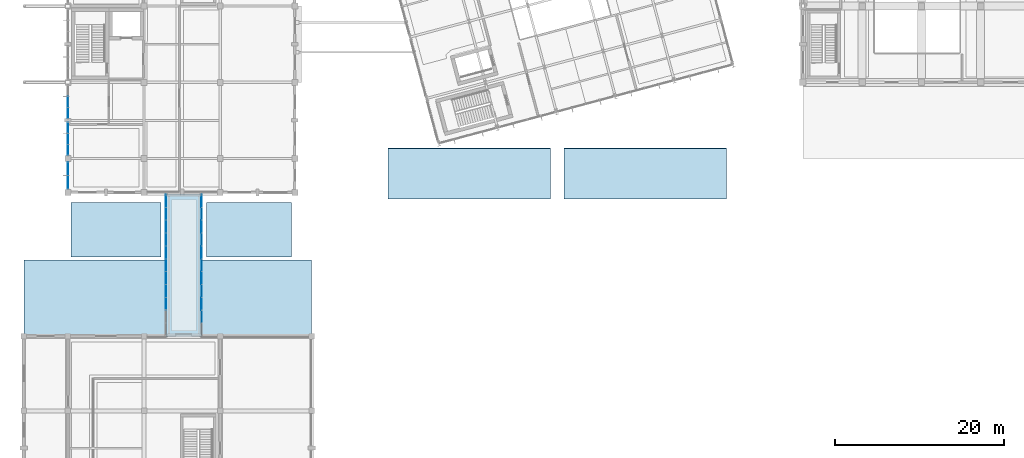
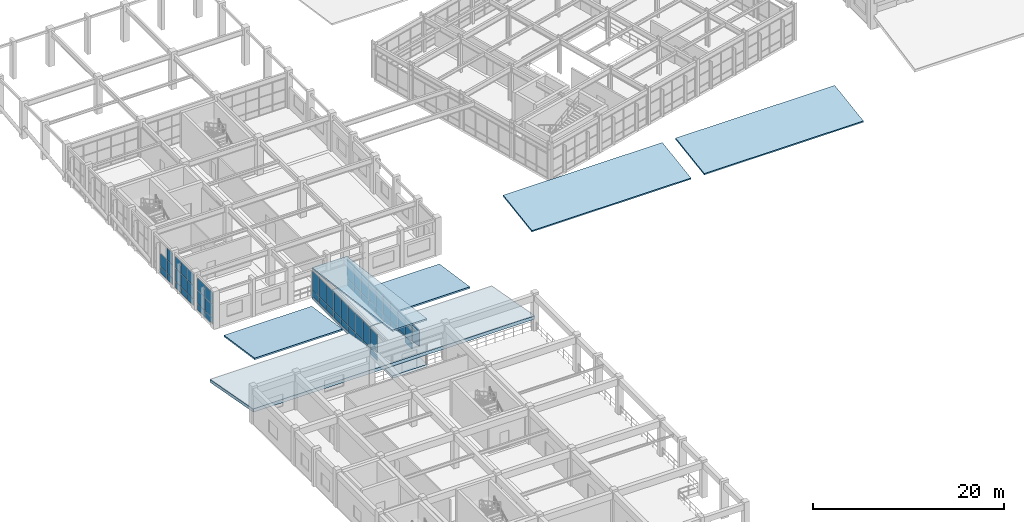
# One storey, part 71 of 104: 57 plates, 7 slabs, 5 elements without a shape of their own.
"""IFC4 building model written with IfcOpenShell, lengths in metres."""

from ifc_helpers import new_model, si_unit, direction, frame, origin, origin_2d, place, context, subcontext, project, spatial, polyline, rectangle, outline, extrude, material, layer, layer_set, type_object, element, aggregate, save


model = new_model("IFC4")

# Units and contexts
model_context = context("Model", 3, precision=1e-05, world=origin(), true_north=direction((0.0, 1.0)))
body_context = subcontext(model_context, "Body", "Model", "MODEL_VIEW")
ifc_project = project(units=[si_unit("LENGTHUNIT", "METRE"), si_unit("AREAUNIT", "SQUARE_METRE"), si_unit("VOLUMEUNIT", "CUBIC_METRE"), si_unit("PLANEANGLEUNIT", "RADIAN"), si_unit("MASSUNIT", "GRAM", prefix="KILO")], contexts=[model_context])

# Site, building, storey
site_placement = place(None, origin())
site = spatial("IfcSite", under=ifc_project, at=site_placement, CompositionType="ELEMENT")
building_placement = place(site_placement, origin())
building = spatial("IfcBuilding", under=site, at=building_placement, Name="Ventoquebrada Cableway Terminal", CompositionType="ELEMENT")
storey_placement = place(building_placement, frame((0.0, 0.0, 4.800048828125)))
storey = spatial("IfcBuildingStorey", under=building, at=storey_placement, Name="L01", CompositionType="ELEMENT", Elevation=4.800048828125)

# Curtain wall, plates
ifc_material_1 = material(Name="Anodized thermally-broken aluminium", Category="aluminium")
ifc_layer_1 = layer(ifc_material_1, 0.159912109375)
ifc_layer_set_1 = layer_set([ifc_layer_1], Name="Anodized thermally-broken aluminium")
curtain_wall_type_1 = type_object("IfcCurtainWallType", Name="CW-T16", PredefinedType="USERDEFINED", material=ifc_layer_set_1)
curtain_wall_1_placement = place(storey_placement, origin())
curtain_wall_1 = element("IfcCurtainWall", 1, at=curtain_wall_1_placement, inside=storey, type_object=curtain_wall_type_1, Name="Unitised glazed curtain wall CW-033", ObjectType="UNITISED CURTAIN WALL", PredefinedType="USERDEFINED")
ifc_material_2 = material(Name="Double low-e laminated safety glazing", Category="glass")
ifc_layer_2 = layer(ifc_material_2, 0.031982421875)
ifc_layer_set_2 = layer_set([ifc_layer_2], Name="Double low-e laminated safety glazing")
plate_type_1 = type_object("IfcPlateType", Name="CWP-GL1", PredefinedType="CURTAIN_PANEL", material=ifc_layer_set_2)
plate_1_placement = place(storey_placement, frame((8.199951171875, 66.804931640625, 2.603515625), z_axis=(0.0, 0.0, 1.0), x_axis=(0.0, -1.0, 0.0)))
plate_1 = element("IfcPlate", 2, at=plate_1_placement, type_object=plate_type_1, Name="Vision glazing panel PN-0335", PredefinedType="CURTAIN_PANEL", context=body_context, shape_type="SweptSolid", body=[
    extrude(rectangle(XDim=1.56103515625, YDim=0.031982421875, at=origin_2d()), origin(), (0.0, 0.0, 1.0), 1.4970703125),
])
plate_2_placement = place(storey_placement, frame((8.199951171875, 65.195068359375, 0.8740234375), z_axis=(0.0, 0.0, 1.0), x_axis=(0.0, -1.0, 0.0)))
plate_2 = element("IfcPlate", 3, at=plate_2_placement, type_object=plate_type_1, Name="Vision glazing panel PN-0337", PredefinedType="CURTAIN_PANEL", context=body_context, shape_type="SweptSolid", body=[
    extrude(rectangle(XDim=1.56103515625, YDim=0.031982421875, at=origin_2d()), origin(), (0.0, 0.0, 1.0), 1.679931640625),
])

ifc_layer_3 = layer(ifc_material_1, 0.159912109375)
ifc_layer_set_3 = layer_set([ifc_layer_3], Name="Anodized thermally-broken aluminium")
curtain_wall_type_2 = type_object("IfcCurtainWallType", Name="CW-T17", PredefinedType="USERDEFINED", material=ifc_layer_set_3)
curtain_wall_2_placement = place(storey_placement, origin())
curtain_wall_2 = element("IfcCurtainWall", 4, at=curtain_wall_2_placement, inside=storey, type_object=curtain_wall_type_2, Name="Unitised glazed curtain wall CW-034", ObjectType="UNITISED CURTAIN WALL", PredefinedType="USERDEFINED")
plate_3_placement = place(storey_placement, frame((8.199951171875, 74.675048828125, 0.8740234375), z_axis=(0.0, 0.0, 1.0), x_axis=(0.0, -1.0, 0.0)))
plate_3 = element("IfcPlate", 5, at=plate_3_placement, type_object=plate_type_1, Name="Vision glazing panel PN-0343", PredefinedType="CURTAIN_PANEL", context=body_context, shape_type="SweptSolid", body=[
    extrude(rectangle(XDim=1.263916015625, YDim=0.031982421875, at=origin_2d()), origin(), (0.0, 0.0, 1.0), 1.679931640625),
])
plate_4_placement = place(storey_placement, frame((8.199951171875, 73.37890625, 2.603515625), z_axis=(0.0, 0.0, 1.0), x_axis=(0.0, -1.0, 0.0)))
plate_4 = element("IfcPlate", 6, at=plate_4_placement, type_object=plate_type_1, Name="Vision glazing panel PN-0347", PredefinedType="CURTAIN_PANEL", context=body_context, shape_type="SweptSolid", body=[
    extrude(rectangle(XDim=1.22900390625, YDim=0.031982421875, at=origin_2d()), origin(), (0.0, 0.0, 1.0), 1.4970703125),
])

curtain_wall_3_placement = place(storey_placement, origin())
curtain_wall_3 = element("IfcCurtainWall", 7, at=curtain_wall_3_placement, inside=storey, type_object=curtain_wall_type_2, Name="Unitised glazed curtain wall CW-035", ObjectType="UNITISED CURTAIN WALL", PredefinedType="USERDEFINED")
plate_5_placement = place(storey_placement, frame((8.199951171875, 71.62109375, 2.603515625), z_axis=(0.0, 0.0, 1.0), x_axis=(0.0, -1.0, 0.0)))
plate_5 = element("IfcPlate", 8, at=plate_5_placement, type_object=plate_type_1, Name="Vision glazing panel PN-0350", PredefinedType="CURTAIN_PANEL", context=body_context, shape_type="SweptSolid", body=[
    extrude(rectangle(XDim=1.22900390625, YDim=0.031982421875, at=origin_2d()), origin(), (0.0, 0.0, 1.0), 1.4970703125),
])
plate_6_placement = place(storey_placement, frame((8.199951171875, 70.324951171875, 0.8740234375), z_axis=(0.0, 0.0, 1.0), x_axis=(0.0, -1.0, 0.0)))
plate_6 = element("IfcPlate", 9, at=plate_6_placement, type_object=plate_type_1, Name="Vision glazing panel PN-0352", PredefinedType="CURTAIN_PANEL", context=body_context, shape_type="SweptSolid", body=[
    extrude(rectangle(XDim=1.263916015625, YDim=0.031982421875, at=origin_2d()), origin(), (0.0, 0.0, 1.0), 1.679931640625),
])
plate_7_placement = place(storey_placement, frame((8.199951171875, 69.030029296875, 2.603515625), z_axis=(0.0, 0.0, 1.0), x_axis=(0.0, -1.0, 0.0)))
plate_7 = element("IfcPlate", 10, at=plate_7_placement, type_object=plate_type_1, Name="Vision glazing panel PN-0356", PredefinedType="CURTAIN_PANEL", context=body_context, shape_type="SweptSolid", body=[
    extrude(rectangle(XDim=1.22900390625, YDim=0.031982421875, at=origin_2d()), origin(), (0.0, 0.0, 1.0), 1.4970703125),
])

ifc_layer_4 = layer(ifc_material_1, 0.159912109375)
ifc_layer_set_4 = layer_set([ifc_layer_4], Name="Anodized thermally-broken aluminium")
curtain_wall_type_3 = type_object("IfcCurtainWallType", Name="CW-T51", PredefinedType="USERDEFINED", material=ifc_layer_set_4)
curtain_wall_4_placement = place(storey_placement, origin())
curtain_wall_4 = element("IfcCurtainWall", 11, at=curtain_wall_4_placement, inside=storey, type_object=curtain_wall_type_3, Name="Unitised glazed curtain wall CW-169", ObjectType="UNITISED CURTAIN WALL", PredefinedType="USERDEFINED")
plate_8_placement = place(storey_placement, frame((19.800048828125, 52.361083984375, 0.87158203125), z_axis=(0.0, 0.0, 1.0), x_axis=(0.0, 1.0, 0.0)))
plate_8 = element("IfcPlate", 12, at=plate_8_placement, type_object=plate_type_1, Name="Vision glazing panel PN-1754", PredefinedType="CURTAIN_PANEL", context=body_context, shape_type="SweptSolid", body=[
    extrude(rectangle(XDim=1.47509765625, YDim=0.031982421875, at=origin_2d()), origin(), (0.0, 0.0, 1.0), 2.470947265625),
])
plate_9_placement = place(storey_placement, frame((19.800048828125, 55.39990234375, 0.87158203125), z_axis=(0.0, 0.0, 1.0), x_axis=(0.0, 1.0, 0.0)))
plate_9 = element("IfcPlate", 13, at=plate_9_placement, type_object=plate_type_1, Name="Vision glazing panel PN-1758", PredefinedType="CURTAIN_PANEL", context=body_context, shape_type="SweptSolid", body=[
    extrude(rectangle(XDim=1.47509765625, YDim=0.031982421875, at=origin_2d()), origin(), (0.0, 0.0, 1.0), 2.470947265625),
])
plate_10_placement = place(storey_placement, frame((19.800048828125, 58.43896484375, 0.87158203125), z_axis=(0.0, 0.0, 1.0), x_axis=(0.0, 1.0, 0.0)))
plate_10 = element("IfcPlate", 14, at=plate_10_placement, type_object=plate_type_1, Name="Vision glazing panel PN-1762", PredefinedType="CURTAIN_PANEL", context=body_context, shape_type="SweptSolid", body=[
    extrude(rectangle(XDim=1.47509765625, YDim=0.031982421875, at=origin_2d()), origin(), (0.0, 0.0, 1.0), 2.470947265625),
])
plate_11_placement = place(storey_placement, frame((19.800048828125, 61.47705078125, 0.87158203125), z_axis=(0.0, 0.0, 1.0), x_axis=(0.0, 1.0, 0.0)))
plate_11 = element("IfcPlate", 15, at=plate_11_placement, type_object=plate_type_1, Name="Vision glazing panel PN-1766", PredefinedType="CURTAIN_PANEL", context=body_context, shape_type="SweptSolid", body=[
    extrude(rectangle(XDim=1.47509765625, YDim=0.031982421875, at=origin_2d()), origin(), (0.0, 0.0, 1.0), 2.470947265625),
])

curtain_wall_5_placement = place(storey_placement, origin())
curtain_wall_5 = element("IfcCurtainWall", 16, at=curtain_wall_5_placement, inside=storey, type_object=curtain_wall_type_3, Name="Unitised glazed curtain wall CW-170", ObjectType="UNITISED CURTAIN WALL", PredefinedType="USERDEFINED")
plate_12_placement = place(storey_placement, frame((24.0, 61.47705078125, 0.87158203125), z_axis=(0.0, 0.0, 1.0), x_axis=(0.0, -1.0, 0.0)))
plate_12 = element("IfcPlate", 17, at=plate_12_placement, type_object=plate_type_1, Name="Vision glazing panel PN-1772", PredefinedType="CURTAIN_PANEL", context=body_context, shape_type="SweptSolid", body=[
    extrude(rectangle(XDim=1.47509765625, YDim=0.031982421875, at=origin_2d()), origin(), (0.0, 0.0, 1.0), 2.470947265625),
])
plate_13_placement = place(storey_placement, frame((24.0, 58.43896484375, 0.87158203125), z_axis=(0.0, 0.0, 1.0), x_axis=(0.0, -1.0, 0.0)))
plate_13 = element("IfcPlate", 18, at=plate_13_placement, type_object=plate_type_1, Name="Vision glazing panel PN-1776", PredefinedType="CURTAIN_PANEL", context=body_context, shape_type="SweptSolid", body=[
    extrude(rectangle(XDim=1.47509765625, YDim=0.031982421875, at=origin_2d()), origin(), (0.0, 0.0, 1.0), 2.470947265625),
])
plate_14_placement = place(storey_placement, frame((24.0, 55.39990234375, 0.87158203125), z_axis=(0.0, 0.0, 1.0), x_axis=(0.0, -1.0, 0.0)))
plate_14 = element("IfcPlate", 19, at=plate_14_placement, type_object=plate_type_1, Name="Vision glazing panel PN-1780", PredefinedType="CURTAIN_PANEL", context=body_context, shape_type="SweptSolid", body=[
    extrude(rectangle(XDim=1.47509765625, YDim=0.031982421875, at=origin_2d()), origin(), (0.0, 0.0, 1.0), 2.470947265625),
])
plate_15_placement = place(storey_placement, frame((24.0, 52.361083984375, 0.87158203125), z_axis=(0.0, 0.0, 1.0), x_axis=(0.0, -1.0, 0.0)))
plate_15 = element("IfcPlate", 20, at=plate_15_placement, type_object=plate_type_1, Name="Vision glazing panel PN-1784", PredefinedType="CURTAIN_PANEL", context=body_context, shape_type="SweptSolid", body=[
    extrude(rectangle(XDim=1.47509765625, YDim=0.031982421875, at=origin_2d()), origin(), (0.0, 0.0, 1.0), 2.470947265625),
])
plate_16_placement = place(storey_placement, frame((24.0, 49.322998046875, 0.87158203125), z_axis=(0.0, 0.0, 1.0), x_axis=(0.0, -1.0, 0.0)))
plate_16 = element("IfcPlate", 21, at=plate_16_placement, type_object=plate_type_1, Name="Vision glazing panel PN-1788", PredefinedType="CURTAIN_PANEL", context=body_context, shape_type="SweptSolid", body=[
    extrude(rectangle(XDim=1.47509765625, YDim=0.031982421875, at=origin_2d()), origin(), (0.0, 0.0, 1.0), 2.470947265625),
])

# Plate
ifc_layer_5 = layer(ifc_material_2, 0.0380859375)
ifc_layer_set_5 = layer_set([ifc_layer_5], Name="Double low-e laminated safety glazing")
plate_type_2 = type_object("IfcPlateType", Name="CWP-GL2", PredefinedType="CURTAIN_PANEL", material=ifc_layer_set_5)
plate_17_placement = place(storey_placement, frame((8.199951171875, 66.804931640625, 0.8740234375), z_axis=(0.0, 0.0, 1.0), x_axis=(0.0, -1.0, 0.0)))
plate_17 = element("IfcPlate", 22, at=plate_17_placement, type_object=plate_type_2, Name="Vision glazing panel PN-0334", PredefinedType="CURTAIN_PANEL", context=body_context, shape_type="SweptSolid", body=[
    extrude(rectangle(XDim=1.56103515625, YDim=0.0380859375, at=origin_2d()), origin(), (0.0, 0.0, 1.0), 1.679931640625),
])

plate_18_placement = place(storey_placement, frame((8.199951171875, 65.195068359375, 2.603515625), z_axis=(0.0, 0.0, 1.0), x_axis=(0.0, -1.0, 0.0)))
plate_18 = element("IfcPlate", 23, at=plate_18_placement, type_object=plate_type_2, Name="Vision glazing panel PN-0338", PredefinedType="CURTAIN_PANEL", context=body_context, shape_type="SweptSolid", body=[
    extrude(rectangle(XDim=1.56103515625, YDim=0.0380859375, at=origin_2d()), origin(), (0.0, 0.0, 1.0), 1.4970703125),
])

plate_19_placement = place(storey_placement, frame((8.199951171875, 73.37890625, 0.8740234375), z_axis=(0.0, 0.0, 1.0), x_axis=(0.0, -1.0, 0.0)))
plate_19 = element("IfcPlate", 24, at=plate_19_placement, type_object=plate_type_2, Name="Vision glazing panel PN-0346", PredefinedType="CURTAIN_PANEL", context=body_context, shape_type="SweptSolid", body=[
    extrude(rectangle(XDim=1.22900390625, YDim=0.0380859375, at=origin_2d()), origin(), (0.0, 0.0, 1.0), 1.679931640625),
])

plate_20_placement = place(storey_placement, frame((8.199951171875, 71.62109375, 0.8740234375), z_axis=(0.0, 0.0, 1.0), x_axis=(0.0, -1.0, 0.0)))
plate_20 = element("IfcPlate", 25, at=plate_20_placement, type_object=plate_type_2, Name="Vision glazing panel PN-0349", PredefinedType="CURTAIN_PANEL", context=body_context, shape_type="SweptSolid", body=[
    extrude(rectangle(XDim=1.22900390625, YDim=0.0380859375, at=origin_2d()), origin(), (0.0, 0.0, 1.0), 1.679931640625),
])

plate_21_placement = place(storey_placement, frame((8.199951171875, 70.324951171875, 2.603515625), z_axis=(0.0, 0.0, 1.0), x_axis=(0.0, -1.0, 0.0)))
plate_21 = element("IfcPlate", 26, at=plate_21_placement, type_object=plate_type_2, Name="Vision glazing panel PN-0353", PredefinedType="CURTAIN_PANEL", context=body_context, shape_type="SweptSolid", body=[
    extrude(rectangle(XDim=1.263916015625, YDim=0.0380859375, at=origin_2d()), origin(), (0.0, 0.0, 1.0), 1.4970703125),
])

plate_22_placement = place(storey_placement, frame((8.199951171875, 69.030029296875, 0.8740234375), z_axis=(0.0, 0.0, 1.0), x_axis=(0.0, -1.0, 0.0)))
plate_22 = element("IfcPlate", 27, at=plate_22_placement, type_object=plate_type_2, Name="Vision glazing panel PN-0355", PredefinedType="CURTAIN_PANEL", context=body_context, shape_type="SweptSolid", body=[
    extrude(rectangle(XDim=1.22900390625, YDim=0.0380859375, at=origin_2d()), origin(), (0.0, 0.0, 1.0), 1.679931640625),
])

plate_23_placement = place(storey_placement, frame((19.800048828125, 50.843017578125, 0.87158203125), z_axis=(0.0, 0.0, 1.0), x_axis=(0.0, 1.0, 0.0)))
plate_23 = element("IfcPlate", 28, at=plate_23_placement, type_object=plate_type_2, Name="Vision glazing panel PN-1752", PredefinedType="CURTAIN_PANEL", context=body_context, shape_type="SweptSolid", body=[
    extrude(rectangle(XDim=1.47509765625, YDim=0.0380859375, at=origin_2d()), origin(), (0.0, 0.0, 1.0), 2.470947265625),
])

plate_24_placement = place(storey_placement, frame((19.800048828125, 53.8798828125, 0.87158203125), z_axis=(0.0, 0.0, 1.0), x_axis=(0.0, 1.0, 0.0)))
plate_24 = element("IfcPlate", 29, at=plate_24_placement, type_object=plate_type_2, Name="Vision glazing panel PN-1756", PredefinedType="CURTAIN_PANEL", context=body_context, shape_type="SweptSolid", body=[
    extrude(rectangle(XDim=1.47509765625, YDim=0.0380859375, at=origin_2d()), origin(), (0.0, 0.0, 1.0), 2.470947265625),
])

plate_25_placement = place(storey_placement, frame((19.800048828125, 56.9189453125, 0.87158203125), z_axis=(0.0, 0.0, 1.0), x_axis=(0.0, 1.0, 0.0)))
plate_25 = element("IfcPlate", 30, at=plate_25_placement, type_object=plate_type_2, Name="Vision glazing panel PN-1760", PredefinedType="CURTAIN_PANEL", context=body_context, shape_type="SweptSolid", body=[
    extrude(rectangle(XDim=1.47509765625, YDim=0.0380859375, at=origin_2d()), origin(), (0.0, 0.0, 1.0), 2.470947265625),
])

plate_26_placement = place(storey_placement, frame((19.800048828125, 59.95703125, 0.87158203125), z_axis=(0.0, 0.0, 1.0), x_axis=(0.0, 1.0, 0.0)))
plate_26 = element("IfcPlate", 31, at=plate_26_placement, type_object=plate_type_2, Name="Vision glazing panel PN-1764", PredefinedType="CURTAIN_PANEL", context=body_context, shape_type="SweptSolid", body=[
    extrude(rectangle(XDim=1.47509765625, YDim=0.0380859375, at=origin_2d()), origin(), (0.0, 0.0, 1.0), 2.470947265625),
])

plate_27_placement = place(storey_placement, frame((19.800048828125, 62.97802734375, 0.87158203125), z_axis=(0.0, 0.0, 1.0), x_axis=(0.0, 1.0, 0.0)))
plate_27 = element("IfcPlate", 32, at=plate_27_placement, type_object=plate_type_2, Name="Vision glazing panel PN-1768", PredefinedType="CURTAIN_PANEL", context=body_context, shape_type="SweptSolid", body=[
    extrude(rectangle(XDim=1.43994140625, YDim=0.0380859375, at=origin_2d()), origin(), (0.0, 0.0, 1.0), 2.470947265625),
])

plate_28_placement = place(storey_placement, frame((24.0, 62.97802734375, 0.87158203125), z_axis=(0.0, 0.0, 1.0), x_axis=(0.0, -1.0, 0.0)))
plate_28 = element("IfcPlate", 33, at=plate_28_placement, type_object=plate_type_2, Name="Vision glazing panel PN-1770", PredefinedType="CURTAIN_PANEL", context=body_context, shape_type="SweptSolid", body=[
    extrude(rectangle(XDim=1.43994140625, YDim=0.0380859375, at=origin_2d()), origin(), (0.0, 0.0, 1.0), 2.470947265625),
])

plate_29_placement = place(storey_placement, frame((24.0, 59.95703125, 0.87158203125), z_axis=(0.0, 0.0, 1.0), x_axis=(0.0, -1.0, 0.0)))
plate_29 = element("IfcPlate", 34, at=plate_29_placement, type_object=plate_type_2, Name="Vision glazing panel PN-1774", PredefinedType="CURTAIN_PANEL", context=body_context, shape_type="SweptSolid", body=[
    extrude(rectangle(XDim=1.47509765625, YDim=0.0380859375, at=origin_2d()), origin(), (0.0, 0.0, 1.0), 2.470947265625),
])

plate_30_placement = place(storey_placement, frame((24.0, 56.9189453125, 0.87158203125), z_axis=(0.0, 0.0, 1.0), x_axis=(0.0, -1.0, 0.0)))
plate_30 = element("IfcPlate", 35, at=plate_30_placement, type_object=plate_type_2, Name="Vision glazing panel PN-1778", PredefinedType="CURTAIN_PANEL", context=body_context, shape_type="SweptSolid", body=[
    extrude(rectangle(XDim=1.47509765625, YDim=0.0380859375, at=origin_2d()), origin(), (0.0, 0.0, 1.0), 2.470947265625),
])

plate_31_placement = place(storey_placement, frame((24.0, 53.8798828125, 0.87158203125), z_axis=(0.0, 0.0, 1.0), x_axis=(0.0, -1.0, 0.0)))
plate_31 = element("IfcPlate", 36, at=plate_31_placement, type_object=plate_type_2, Name="Vision glazing panel PN-1782", PredefinedType="CURTAIN_PANEL", context=body_context, shape_type="SweptSolid", body=[
    extrude(rectangle(XDim=1.47509765625, YDim=0.0380859375, at=origin_2d()), origin(), (0.0, 0.0, 1.0), 2.470947265625),
])

plate_32_placement = place(storey_placement, frame((24.0, 50.843017578125, 0.87158203125), z_axis=(0.0, 0.0, 1.0), x_axis=(0.0, -1.0, 0.0)))
plate_32 = element("IfcPlate", 37, at=plate_32_placement, type_object=plate_type_2, Name="Vision glazing panel PN-1786", PredefinedType="CURTAIN_PANEL", context=body_context, shape_type="SweptSolid", body=[
    extrude(rectangle(XDim=1.47509765625, YDim=0.0380859375, at=origin_2d()), origin(), (0.0, 0.0, 1.0), 2.470947265625),
])

ifc_material_3 = material(Name="Insulated aluminium spandrel cassette", Category="aluminium")
ifc_layer_6 = layer(ifc_material_3, 0.044921875)
ifc_layer_set_6 = layer_set([ifc_layer_6], Name="Insulated aluminium spandrel cassette")
plate_type_3 = type_object("IfcPlateType", Name="CWP-SP1", PredefinedType="CURTAIN_PANEL", material=ifc_layer_set_6)
plate_33_placement = place(storey_placement, frame((8.199951171875, 66.804931640625, 0.058837890625), z_axis=(0.0, 0.0, 1.0), x_axis=(0.0, -1.0, 0.0)))
plate_33 = element("IfcPlate", 38, at=plate_33_placement, type_object=plate_type_3, Name="Insulated spandrel panel PN-0333", PredefinedType="CURTAIN_PANEL", context=body_context, shape_type="SweptSolid", body=[
    extrude(rectangle(XDim=1.56103515625, YDim=0.044921875, at=origin_2d()), origin(), (0.0, 0.0, 1.0), 0.76611328125),
])

plate_34_placement = place(storey_placement, frame((8.199951171875, 65.195068359375, 0.058837890625), z_axis=(0.0, 0.0, 1.0), x_axis=(0.0, -1.0, 0.0)))
plate_34 = element("IfcPlate", 39, at=plate_34_placement, type_object=plate_type_3, Name="Insulated spandrel panel PN-0336", PredefinedType="CURTAIN_PANEL", context=body_context, shape_type="SweptSolid", body=[
    extrude(rectangle(XDim=1.56103515625, YDim=0.044921875, at=origin_2d()), origin(), (0.0, 0.0, 1.0), 0.76611328125),
])

aggregate(curtain_wall_1, [plate_33, plate_17, plate_1, plate_34, plate_2, plate_18])

plate_35_placement = place(storey_placement, frame((8.199951171875, 74.675048828125, 0.058837890625), z_axis=(0.0, 0.0, 1.0), x_axis=(0.0, -1.0, 0.0)))
plate_35 = element("IfcPlate", 40, at=plate_35_placement, type_object=plate_type_3, Name="Insulated spandrel panel PN-0342", PredefinedType="CURTAIN_PANEL", context=body_context, shape_type="SweptSolid", body=[
    extrude(rectangle(XDim=1.263916015625, YDim=0.044921875, at=origin_2d()), origin(), (0.0, 0.0, 1.0), 0.76611328125),
])

plate_36_placement = place(storey_placement, frame((8.199951171875, 73.37890625, 0.058837890625), z_axis=(0.0, 0.0, 1.0), x_axis=(0.0, -1.0, 0.0)))
plate_36 = element("IfcPlate", 41, at=plate_36_placement, type_object=plate_type_3, Name="Insulated spandrel panel PN-0345", PredefinedType="CURTAIN_PANEL", context=body_context, shape_type="SweptSolid", body=[
    extrude(rectangle(XDim=1.22900390625, YDim=0.044921875, at=origin_2d()), origin(), (0.0, 0.0, 1.0), 0.76611328125),
])

aggregate(curtain_wall_2, [plate_35, plate_3, plate_36, plate_19, plate_4])

plate_37_placement = place(storey_placement, frame((8.199951171875, 71.62109375, 0.058837890625), z_axis=(0.0, 0.0, 1.0), x_axis=(0.0, -1.0, 0.0)))
plate_37 = element("IfcPlate", 42, at=plate_37_placement, type_object=plate_type_3, Name="Insulated spandrel panel PN-0348", PredefinedType="CURTAIN_PANEL", context=body_context, shape_type="SweptSolid", body=[
    extrude(rectangle(XDim=1.22900390625, YDim=0.044921875, at=origin_2d()), origin(), (0.0, 0.0, 1.0), 0.76611328125),
])

plate_38_placement = place(storey_placement, frame((8.199951171875, 70.324951171875, 0.058837890625), z_axis=(0.0, 0.0, 1.0), x_axis=(0.0, -1.0, 0.0)))
plate_38 = element("IfcPlate", 43, at=plate_38_placement, type_object=plate_type_3, Name="Insulated spandrel panel PN-0351", PredefinedType="CURTAIN_PANEL", context=body_context, shape_type="SweptSolid", body=[
    extrude(rectangle(XDim=1.263916015625, YDim=0.044921875, at=origin_2d()), origin(), (0.0, 0.0, 1.0), 0.76611328125),
])

plate_39_placement = place(storey_placement, frame((8.199951171875, 69.030029296875, 0.058837890625), z_axis=(0.0, 0.0, 1.0), x_axis=(0.0, -1.0, 0.0)))
plate_39 = element("IfcPlate", 44, at=plate_39_placement, type_object=plate_type_3, Name="Insulated spandrel panel PN-0354", PredefinedType="CURTAIN_PANEL", context=body_context, shape_type="SweptSolid", body=[
    extrude(rectangle(XDim=1.22900390625, YDim=0.044921875, at=origin_2d()), origin(), (0.0, 0.0, 1.0), 0.76611328125),
])

aggregate(curtain_wall_3, [plate_37, plate_20, plate_5, plate_38, plate_6, plate_21, plate_39, plate_22, plate_7])

plate_40_placement = place(storey_placement, frame((19.800048828125, 50.843017578125, 0.056396484375), z_axis=(0.0, 0.0, 1.0), x_axis=(0.0, 1.0, 0.0)))
plate_40 = element("IfcPlate", 45, at=plate_40_placement, type_object=plate_type_3, Name="Insulated spandrel panel PN-1751", PredefinedType="CURTAIN_PANEL", context=body_context, shape_type="SweptSolid", body=[
    extrude(rectangle(XDim=1.47509765625, YDim=0.044921875, at=origin_2d()), origin(), (0.0, 0.0, 1.0), 0.77099609375),
])

plate_41_placement = place(storey_placement, frame((19.800048828125, 52.361083984375, 0.056396484375), z_axis=(0.0, 0.0, 1.0), x_axis=(0.0, 1.0, 0.0)))
plate_41 = element("IfcPlate", 46, at=plate_41_placement, type_object=plate_type_3, Name="Insulated spandrel panel PN-1753", PredefinedType="CURTAIN_PANEL", context=body_context, shape_type="SweptSolid", body=[
    extrude(rectangle(XDim=1.47509765625, YDim=0.044921875, at=origin_2d()), origin(), (0.0, 0.0, 1.0), 0.77099609375),
])

plate_42_placement = place(storey_placement, frame((19.800048828125, 53.8798828125, 0.056396484375), z_axis=(0.0, 0.0, 1.0), x_axis=(0.0, 1.0, 0.0)))
plate_42 = element("IfcPlate", 47, at=plate_42_placement, type_object=plate_type_3, Name="Insulated spandrel panel PN-1755", PredefinedType="CURTAIN_PANEL", context=body_context, shape_type="SweptSolid", body=[
    extrude(rectangle(XDim=1.47509765625, YDim=0.044921875, at=origin_2d()), origin(), (0.0, 0.0, 1.0), 0.77099609375),
])

plate_43_placement = place(storey_placement, frame((19.800048828125, 55.39990234375, 0.056396484375), z_axis=(0.0, 0.0, 1.0), x_axis=(0.0, 1.0, 0.0)))
plate_43 = element("IfcPlate", 48, at=plate_43_placement, type_object=plate_type_3, Name="Insulated spandrel panel PN-1757", PredefinedType="CURTAIN_PANEL", context=body_context, shape_type="SweptSolid", body=[
    extrude(rectangle(XDim=1.47509765625, YDim=0.044921875, at=origin_2d()), origin(), (0.0, 0.0, 1.0), 0.77099609375),
])

plate_44_placement = place(storey_placement, frame((19.800048828125, 56.9189453125, 0.056396484375), z_axis=(0.0, 0.0, 1.0), x_axis=(0.0, 1.0, 0.0)))
plate_44 = element("IfcPlate", 49, at=plate_44_placement, type_object=plate_type_3, Name="Insulated spandrel panel PN-1759", PredefinedType="CURTAIN_PANEL", context=body_context, shape_type="SweptSolid", body=[
    extrude(rectangle(XDim=1.47509765625, YDim=0.044921875, at=origin_2d()), origin(), (0.0, 0.0, 1.0), 0.77099609375),
])

plate_45_placement = place(storey_placement, frame((19.800048828125, 58.43896484375, 0.056396484375), z_axis=(0.0, 0.0, 1.0), x_axis=(0.0, 1.0, 0.0)))
plate_45 = element("IfcPlate", 50, at=plate_45_placement, type_object=plate_type_3, Name="Insulated spandrel panel PN-1761", PredefinedType="CURTAIN_PANEL", context=body_context, shape_type="SweptSolid", body=[
    extrude(rectangle(XDim=1.47509765625, YDim=0.044921875, at=origin_2d()), origin(), (0.0, 0.0, 1.0), 0.77099609375),
])

plate_46_placement = place(storey_placement, frame((19.800048828125, 59.95703125, 0.056396484375), z_axis=(0.0, 0.0, 1.0), x_axis=(0.0, 1.0, 0.0)))
plate_46 = element("IfcPlate", 51, at=plate_46_placement, type_object=plate_type_3, Name="Insulated spandrel panel PN-1763", PredefinedType="CURTAIN_PANEL", context=body_context, shape_type="SweptSolid", body=[
    extrude(rectangle(XDim=1.47509765625, YDim=0.044921875, at=origin_2d()), origin(), (0.0, 0.0, 1.0), 0.77099609375),
])

plate_47_placement = place(storey_placement, frame((19.800048828125, 61.47705078125, 0.056396484375), z_axis=(0.0, 0.0, 1.0), x_axis=(0.0, 1.0, 0.0)))
plate_47 = element("IfcPlate", 52, at=plate_47_placement, type_object=plate_type_3, Name="Insulated spandrel panel PN-1765", PredefinedType="CURTAIN_PANEL", context=body_context, shape_type="SweptSolid", body=[
    extrude(rectangle(XDim=1.47509765625, YDim=0.044921875, at=origin_2d()), origin(), (0.0, 0.0, 1.0), 0.77099609375),
])

plate_48_placement = place(storey_placement, frame((19.800048828125, 62.97802734375, 0.056396484375), z_axis=(0.0, 0.0, 1.0), x_axis=(0.0, 1.0, 0.0)))
plate_48 = element("IfcPlate", 53, at=plate_48_placement, type_object=plate_type_3, Name="Insulated spandrel panel PN-1767", PredefinedType="CURTAIN_PANEL", context=body_context, shape_type="SweptSolid", body=[
    extrude(rectangle(XDim=1.43994140625, YDim=0.044921875, at=origin_2d()), origin(), (0.0, 0.0, 1.0), 0.77099609375),
])

aggregate(curtain_wall_4, [plate_40, plate_23, plate_41, plate_8, plate_42, plate_24, plate_43, plate_9, plate_44, plate_25, plate_45, plate_10, plate_46, plate_26, plate_47, plate_11, plate_48, plate_27])

plate_49_placement = place(storey_placement, frame((24.0, 62.97802734375, 0.056396484375), z_axis=(0.0, 0.0, 1.0), x_axis=(0.0, -1.0, 0.0)))
plate_49 = element("IfcPlate", 54, at=plate_49_placement, type_object=plate_type_3, Name="Insulated spandrel panel PN-1769", PredefinedType="CURTAIN_PANEL", context=body_context, shape_type="SweptSolid", body=[
    extrude(rectangle(XDim=1.43994140625, YDim=0.044921875, at=origin_2d()), origin(), (0.0, 0.0, 1.0), 0.77099609375),
])

plate_50_placement = place(storey_placement, frame((24.0, 61.47705078125, 0.056396484375), z_axis=(0.0, 0.0, 1.0), x_axis=(0.0, -1.0, 0.0)))
plate_50 = element("IfcPlate", 55, at=plate_50_placement, type_object=plate_type_3, Name="Insulated spandrel panel PN-1771", PredefinedType="CURTAIN_PANEL", context=body_context, shape_type="SweptSolid", body=[
    extrude(rectangle(XDim=1.47509765625, YDim=0.044921875, at=origin_2d()), origin(), (0.0, 0.0, 1.0), 0.77099609375),
])

plate_51_placement = place(storey_placement, frame((24.0, 59.95703125, 0.056396484375), z_axis=(0.0, 0.0, 1.0), x_axis=(0.0, -1.0, 0.0)))
plate_51 = element("IfcPlate", 56, at=plate_51_placement, type_object=plate_type_3, Name="Insulated spandrel panel PN-1773", PredefinedType="CURTAIN_PANEL", context=body_context, shape_type="SweptSolid", body=[
    extrude(rectangle(XDim=1.47509765625, YDim=0.044921875, at=origin_2d()), origin(), (0.0, 0.0, 1.0), 0.77099609375),
])

plate_52_placement = place(storey_placement, frame((24.0, 58.43896484375, 0.056396484375), z_axis=(0.0, 0.0, 1.0), x_axis=(0.0, -1.0, 0.0)))
plate_52 = element("IfcPlate", 57, at=plate_52_placement, type_object=plate_type_3, Name="Insulated spandrel panel PN-1775", PredefinedType="CURTAIN_PANEL", context=body_context, shape_type="SweptSolid", body=[
    extrude(rectangle(XDim=1.47509765625, YDim=0.044921875, at=origin_2d()), origin(), (0.0, 0.0, 1.0), 0.77099609375),
])

plate_53_placement = place(storey_placement, frame((24.0, 56.9189453125, 0.056396484375), z_axis=(0.0, 0.0, 1.0), x_axis=(0.0, -1.0, 0.0)))
plate_53 = element("IfcPlate", 58, at=plate_53_placement, type_object=plate_type_3, Name="Insulated spandrel panel PN-1777", PredefinedType="CURTAIN_PANEL", context=body_context, shape_type="SweptSolid", body=[
    extrude(rectangle(XDim=1.47509765625, YDim=0.044921875, at=origin_2d()), origin(), (0.0, 0.0, 1.0), 0.77099609375),
])

plate_54_placement = place(storey_placement, frame((24.0, 55.39990234375, 0.056396484375), z_axis=(0.0, 0.0, 1.0), x_axis=(0.0, -1.0, 0.0)))
plate_54 = element("IfcPlate", 59, at=plate_54_placement, type_object=plate_type_3, Name="Insulated spandrel panel PN-1779", PredefinedType="CURTAIN_PANEL", context=body_context, shape_type="SweptSolid", body=[
    extrude(rectangle(XDim=1.47509765625, YDim=0.044921875, at=origin_2d()), origin(), (0.0, 0.0, 1.0), 0.77099609375),
])

plate_55_placement = place(storey_placement, frame((24.0, 53.8798828125, 0.056396484375), z_axis=(0.0, 0.0, 1.0), x_axis=(0.0, -1.0, 0.0)))
plate_55 = element("IfcPlate", 60, at=plate_55_placement, type_object=plate_type_3, Name="Insulated spandrel panel PN-1781", PredefinedType="CURTAIN_PANEL", context=body_context, shape_type="SweptSolid", body=[
    extrude(rectangle(XDim=1.47509765625, YDim=0.044921875, at=origin_2d()), origin(), (0.0, 0.0, 1.0), 0.77099609375),
])

plate_56_placement = place(storey_placement, frame((24.0, 52.361083984375, 0.056396484375), z_axis=(0.0, 0.0, 1.0), x_axis=(0.0, -1.0, 0.0)))
plate_56 = element("IfcPlate", 61, at=plate_56_placement, type_object=plate_type_3, Name="Insulated spandrel panel PN-1783", PredefinedType="CURTAIN_PANEL", context=body_context, shape_type="SweptSolid", body=[
    extrude(rectangle(XDim=1.47509765625, YDim=0.044921875, at=origin_2d()), origin(), (0.0, 0.0, 1.0), 0.77099609375),
])

plate_57_placement = place(storey_placement, frame((24.0, 50.843017578125, 0.056396484375), z_axis=(0.0, 0.0, 1.0), x_axis=(0.0, -1.0, 0.0)))
plate_57 = element("IfcPlate", 62, at=plate_57_placement, type_object=plate_type_3, Name="Insulated spandrel panel PN-1785", PredefinedType="CURTAIN_PANEL", context=body_context, shape_type="SweptSolid", body=[
    extrude(rectangle(XDim=1.47509765625, YDim=0.044921875, at=origin_2d()), origin(), (0.0, 0.0, 1.0), 0.77099609375),
])

aggregate(curtain_wall_5, [plate_49, plate_28, plate_50, plate_12, plate_51, plate_29, plate_52, plate_13, plate_53, plate_30, plate_54, plate_14, plate_55, plate_31, plate_56, plate_15, plate_57, plate_32, plate_16])

# Slabs
ifc_material_4 = material(Name="Concrete C40/50", Category="concrete")
ifc_layer_7 = layer(ifc_material_4, 0.324951171875)
ifc_layer_set_7 = layer_set([ifc_layer_7], Name="Concrete C40/50")
slab_type_1 = type_object("IfcSlabType", Name="SL-DK1", PredefinedType="FLOOR", material=ifc_layer_set_7)
slab_1_placement = place(storey_placement, frame((0.0, 0.0, -0.324951171875)))
element("IfcSlab", 63, at=slab_1_placement, inside=storey, type_object=slab_type_1, Name="Link bridge deck slab LP-1 SL-085", PredefinedType="FLOOR", context=body_context, shape_type="SweptSolid", body=[
    extrude(outline(polyline([(24.0, 47.0), (24.0, 63.800048828125), (19.800048828125, 63.800048828125), (19.800048828125, 47.0), (24.0, 47.0)])), origin(), (0.0, 0.0, 1.0), 0.324951171875),
])
ifc_material_5 = material(Name="Concrete C45/55", Category="concrete")
ifc_layer_8 = layer(ifc_material_5, 0.3798828125)
ifc_layer_set_8 = layer_set([ifc_layer_8], Name="Concrete C45/55")
slab_type_2 = type_object("IfcSlabType", Name="SL-RF1", PredefinedType="ROOF", material=ifc_layer_set_8)
slab_2_placement = place(storey_placement, frame((3.0, 46.9306640625, 1.29443359375), z_axis=(0.0, 0.18222679532, 0.983256525566), x_axis=(1.0, 0.0, 0.0)))
element("IfcSlab", 64, at=slab_2_placement, inside=storey, type_object=slab_type_2, Name="Folded roof slab SL-103", PredefinedType="ROOF", context=body_context, shape_type="SweptSolid", body=[
    extrude(outline(polyline([(0.0, 0.0), (34.0, 0.0), (34.0, 9.153257330097114), (0.0, 9.153257330097114), (0.0, 0.0)])), origin(), (0.0, 0.0, 1.0), 0.3798828125),
])
ifc_layer_9 = layer(ifc_material_5, 0.260009765625)
ifc_layer_set_9 = layer_set([ifc_layer_9], Name="Concrete C45/55")
slab_type_3 = type_object("IfcSlabType", Name="SL-RF3", PredefinedType="ROOF", material=ifc_layer_set_9)
slab_3_placement = place(storey_placement, frame((19.800048828125, 46.97509765625, 5.663818359375), z_axis=(0.0, 0.130548804903, 0.991441884095), x_axis=(1.0, 0.0, 0.0)))
element("IfcSlab", 65, at=slab_3_placement, inside=storey, type_object=slab_type_3, Name="Link bridge sloped roof slab SL-086", PredefinedType="ROOF", context=body_context, shape_type="SweptSolid", body=[
    extrude(outline(polyline([(0.0, 0.0), (4.199951171875, 0.0), (4.199951171875, 16.945066672723286), (0.0, 16.945066672723286), (0.0, 0.0)])), origin(), (0.0, 0.0, 1.0), 0.18994140625),
])
slab_4_placement = place(storey_placement, frame((8.60009765625, 56.371826171875, 0.30810546875), z_axis=(0.0, 0.147703940249, 0.989031620341), x_axis=(1.0, 0.0, 0.0)))
element("IfcSlab", 66, at=slab_4_placement, inside=storey, type_object=slab_type_3, Name="Civic plaza shelter canopy roof slab SL-119", PredefinedType="ROOF", context=body_context, shape_type="SweptSolid", body=[
    extrude(outline(polyline([(0.0, 0.0), (10.599853515625, 0.0), (10.599853515625, 6.471124231768013), (0.0, 6.471124231768013), (0.0, 0.0)])), origin(), (0.0, 0.0, 1.0), 0.18994140625),
])
slab_5_placement = place(storey_placement, frame((24.60009765625, 56.371826171875, 0.30810546875), z_axis=(0.0, 0.147703940249, 0.989031620341), x_axis=(1.0, 0.0, 0.0)))
element("IfcSlab", 67, at=slab_5_placement, inside=storey, type_object=slab_type_3, Name="Civic plaza shelter canopy roof slab SL-120", PredefinedType="ROOF", context=body_context, shape_type="SweptSolid", body=[
    extrude(outline(polyline([(0.0, 0.0), (10.0, 0.0), (10.0, 6.471124231768013), (0.0, 6.471124231768013), (0.0, 0.0)])), origin(), (0.0, 0.0, 1.0), 0.18994140625),
])
for number, where, z_axis, x_axis, name in (
    (68, (46.0, 63.22802734375, -0.647705078125), (0.0, -0.147852403647, 0.989009437132), (1.0, 0.0, 0.0), "Civic plaza shelter canopy roof slab SL-121"),
    (69, (66.800048828125, 63.22802734375, -0.647705078125), (0.0, -0.147852403647, 0.989009437132), (1.0, 0.0, 0.0), "Civic plaza shelter canopy roof slab SL-122"),
):
    element("IfcSlab", number, at=place(storey_placement, frame(where, z_axis=z_axis, x_axis=x_axis)), inside=storey, type_object=slab_type_3, Name=name, PredefinedType="ROOF", context=body_context, shape_type="SweptSolid", body=[
        extrude(outline(polyline([(0.0, 0.0), (19.199951171875, 0.0), (19.199951171875, 6.066676186023132), (0.0, 6.066676186023132), (0.0, 0.0)])), origin(), (0.0, 0.0, 1.0), 0.18994140625),
    ])

save(model, "model.ifc")
